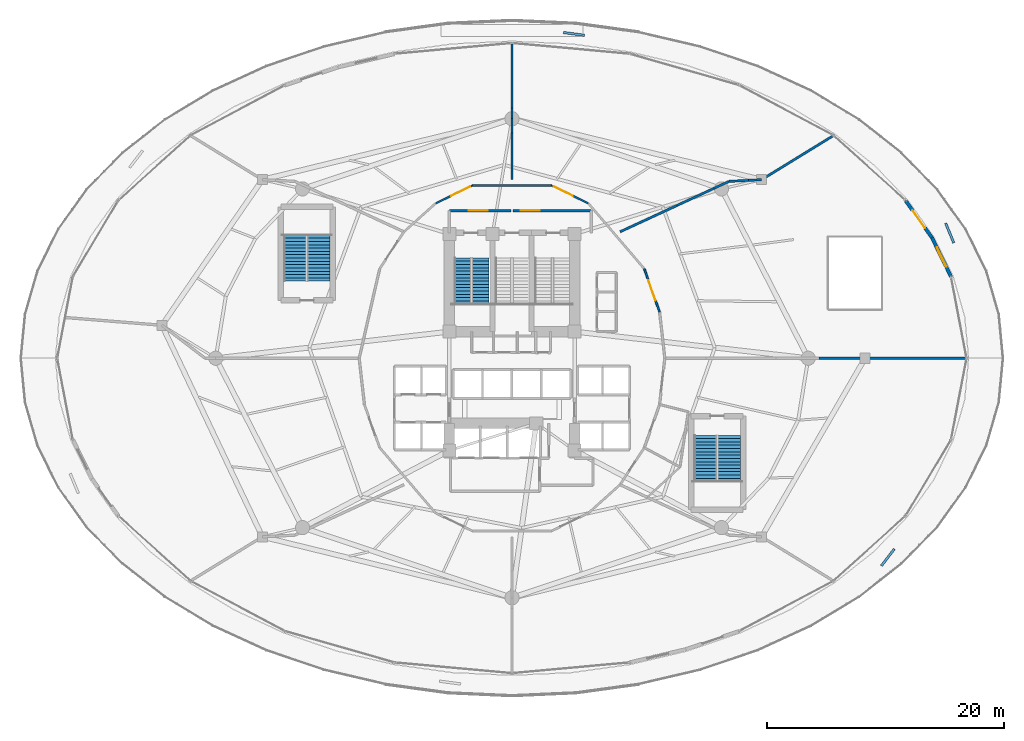
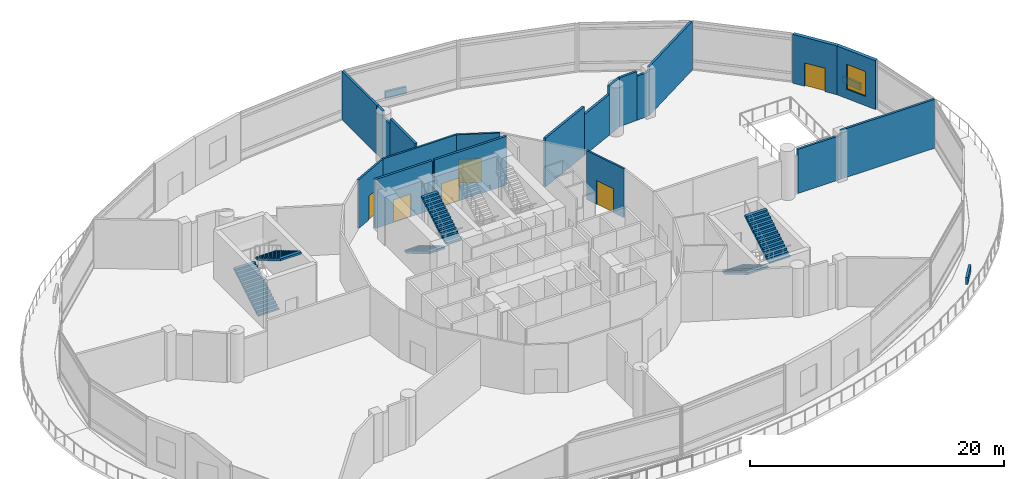
# One storey, part 29 of 37: 23 walls, 6 doors, 6 stair flights, 1 window, 7 openings, 3 elements without a shape of their own.
"""IFC4 building model written with IfcOpenShell, lengths in metres."""

from ifc_helpers import new_model, si_unit, direction, frame, frame_2d, origin, place, context, subcontext, project, spatial, polyline, rectangle, outline, extrude, material, layer, layer_set, type_object, element, fill, aggregate, save


model = new_model("IFC4")

# Units and contexts
model_context = context("Model", 3, precision=1e-05, world=origin(), true_north=direction((0.0, 1.0)))
body_context = subcontext(model_context, "Body", "Model", "MODEL_VIEW")
ifc_project = project(units=[si_unit("LENGTHUNIT", "METRE"), si_unit("AREAUNIT", "SQUARE_METRE"), si_unit("VOLUMEUNIT", "CUBIC_METRE"), si_unit("PLANEANGLEUNIT", "RADIAN"), si_unit("MASSUNIT", "GRAM", prefix="KILO")], contexts=[model_context])

# Site, building, storey
site_placement = place(None, origin())
site = spatial("IfcSite", under=ifc_project, at=site_placement, CompositionType="ELEMENT")
building_placement = place(site_placement, origin())
building = spatial("IfcBuilding", under=site, at=building_placement, Name="Nuhasar Tower", CompositionType="ELEMENT")
storey_placement = place(building_placement, frame((0.0, 0.0, 6.0)))
storey = spatial("IfcBuildingStorey", under=building, at=storey_placement, Name="L01", CompositionType="ELEMENT", Elevation=6.0)

# Wall, opening, window
ifc_material_1 = material(Name="Concrete C45/55", Category="concrete")
ifc_layer_1 = layer(ifc_material_1, 0.239990234375)
ifc_material_2 = material(Name="Limestone Ashlar", Category="masonry")
ifc_layer_2 = layer(ifc_material_2, 0.06005859375)
ifc_layer_set_1 = layer_set([ifc_layer_1, ifc_layer_2], Name="Concrete C45/55")
wall_type_1 = type_object("IfcWallType", Name="WL-ARC-300", PredefinedType="STANDARD", material=ifc_layer_set_1)
wall_1_placement = place(storey_placement, frame((74.513916015625, 36.9951171875, 0.0), z_axis=(0.0, 0.0, 1.0), x_axis=(0.4397832387, -0.89810394886, 0.0)))
wall_1 = element("IfcWall", 1, at=wall_1_placement, inside=storey, type_object=wall_type_1, Name="L01 Limestone Arcade Spandrel Pier 02-1", PredefinedType="STANDARD", context=body_context, shape_type="SweptSolid", body=[
    extrude(rectangle(XDim=3.674560546875, YDim=0.300048828125, at=frame_2d((1.83740234375, 0.0))), origin(), (0.0, 0.0, 1.0), 4.699951171875),
])
opening_1_placement = place(wall_1_placement, frame((0.93701171875, 0.0, 0.89990234375)))
opening_1 = element("IfcOpeningElement", 2, at=opening_1_placement, cuts=wall_1, Name="Opening WX-01", PredefinedType="OPENING", context=body_context, shape_type="SweptSolid", body=[
    extrude(rectangle(XDim=1.800048828125, YDim=2.39990234375, at=frame_2d((0.89990234375, 1.199951171875))), frame((0.0, 0.16015625, 0.0), z_axis=(0.0, -1.0, 0.0), x_axis=(1.0, 0.0, 0.0)), (0.0, 0.0, 1.0), 0.320068359375),
])
ifc_material_3 = material(Name="Glass Double Low-E", Category="glass")
window_type = type_object("IfcWindowType", Name="WIN-ARC-1800", PartitioningType="DOUBLE_PANEL_VERTICAL", PredefinedType="WINDOW", material=ifc_material_3)
window_placement = place(opening_1_placement, origin())
window = element("IfcWindow", 3, at=window_placement, inside=storey, type_object=window_type, Name="L01 Arcade Vision Window 02", OverallHeight=2.39990234375, OverallWidth=1.800048828125, PartitioningType="DOUBLE_PANEL_VERTICAL", PredefinedType="WINDOW", context=body_context, shape_type="SweptSolid", body=[
    extrude(rectangle(XDim=1.800048828125, YDim=2.39990234375, at=frame_2d((0.89990234375, 1.199951171875))), frame((0.0, 0.030029296875, 0.0), z_axis=(0.0, -1.0, 0.0), x_axis=(1.0, 0.0, 0.0)), (0.0, 0.0, 1.0), 0.06005859375),
])
fill(opening_1, window)

# Wall, opening, door
wall_2_placement = place(storey_placement, frame((72.2900390625, 40.1201171875, 0.0), z_axis=(0.0, 0.0, 1.0), x_axis=(0.579810280566, -0.814751519514, 0.0)))
wall_2 = element("IfcWall", 4, at=wall_2_placement, inside=storey, type_object=wall_type_1, Name="L01 Limestone Arcade Spandrel Pier 02-2", PredefinedType="STANDARD", context=body_context, shape_type="SweptSolid", body=[
    extrude(rectangle(XDim=3.83544921875, YDim=0.300048828125, at=frame_2d((1.917724609375, 0.0))), origin(), (0.0, 0.0, 1.0), 4.699951171875),
])
opening_2_placement = place(wall_2_placement, frame((1.01806640625, 0.0, 0.0)))
opening_2 = element("IfcOpeningElement", 5, at=opening_2_placement, cuts=wall_2, Name="Opening DX-02", PredefinedType="OPENING", context=body_context, shape_type="SweptSolid", body=[
    extrude(rectangle(XDim=1.800048828125, YDim=2.25, at=frame_2d((0.89990234375, 1.125))), frame((0.0, 0.16015625, 0.0), z_axis=(0.0, -1.0, 0.0), x_axis=(1.0, 0.0, 0.0)), (0.0, 0.0, 1.0), 0.320068359375),
])
ifc_material_4 = material(Name="Aluminium 6063-T6", Category="aluminium")
door_type_1 = type_object("IfcDoorType", Name="DR-TERR-1800", OperationType="DOUBLE_DOOR_SINGLE_SWING", PredefinedType="DOOR", material=ifc_material_4)
door_1_placement = place(opening_2_placement, origin())
door_1 = element("IfcDoor", 6, at=door_1_placement, inside=storey, type_object=door_type_1, Name="L01 Bustan Terrace Door 02", OperationType="DOUBLE_DOOR_SINGLE_SWING", OverallHeight=2.25, OverallWidth=1.800048828125, PredefinedType="DOOR", context=body_context, shape_type="SweptSolid", body=[
    extrude(rectangle(XDim=1.800048828125, YDim=2.25, at=frame_2d((0.89990234375, 1.125))), frame((0.0, 0.02490234375, 0.0), z_axis=(0.0, -1.0, 0.0), x_axis=(1.0, 0.0, 0.0)), (0.0, 0.0, 1.0), 0.050048828125),
])
fill(opening_2, door_1)

ifc_material_5 = material(Name="Gypsum Board", Category="gypsum")
ifc_layer_3 = layer(ifc_material_5, 0.159912109375)
ifc_layer_set_2 = layer_set([ifc_layer_3], Name="Gypsum Board")
wall_type_2 = type_object("IfcWallType", Name="WL-CORR-160", PredefinedType="PARTITIONING", material=ifc_layer_set_2)
wall_3_placement = place(storey_placement, frame((50.18896484375, 34.360107421875, 0.0), z_axis=(0.0, 0.0, 1.0), x_axis=(0.333684770033, -0.942684716248, 0.0)))
wall_3 = element("IfcWall", 7, at=wall_3_placement, inside=storey, type_object=wall_type_2, Name="L01 Interior Partition CORR-02", PredefinedType="PARTITIONING", context=body_context, shape_type="SweptSolid", body=[
    extrude(rectangle(XDim=3.868896484375, YDim=0.159912109375, at=frame_2d((1.9345703125, 0.0))), origin(), (0.0, 0.0, 1.0), 4.699951171875),
])
opening_3_placement = place(wall_3_placement, frame((1.033935546875, 0.0, 0.0)))
opening_3 = element("IfcOpeningElement", 8, at=opening_3_placement, cuts=wall_3, Name="Opening DB-02", PredefinedType="OPENING", context=body_context, shape_type="SweptSolid", body=[
    extrude(rectangle(XDim=1.800048828125, YDim=2.300048828125, at=frame_2d((0.89990234375, 1.14990234375))), frame((0.0, 0.08984375, 0.0), z_axis=(0.0, -1.0, 0.0), x_axis=(1.0, 0.0, 0.0)), (0.0, 0.0, 1.0), 0.179931640625),
])
door_type_2 = type_object("IfcDoorType", Name="DR-BALL-FD60-1800", OperationType="DOUBLE_DOOR_SINGLE_SWING", PredefinedType="DOOR", material=ifc_material_4)
door_2_placement = place(opening_3_placement, origin())
door_2 = element("IfcDoor", 9, at=door_2_placement, inside=storey, type_object=door_type_2, Name="L01 East Luxury Retail Door", OperationType="DOUBLE_DOOR_SINGLE_SWING", OverallHeight=2.300048828125, OverallWidth=1.800048828125, PredefinedType="DOOR", context=body_context, shape_type="SweptSolid", body=[
    extrude(rectangle(XDim=1.800048828125, YDim=2.300048828125, at=frame_2d((0.89990234375, 1.14990234375))), frame((0.0, 0.02490234375, 0.0), z_axis=(0.0, -1.0, 0.0), x_axis=(1.0, 0.0, 0.0)), (0.0, 0.0, 1.0), 0.050048828125),
])
fill(opening_3, door_2)

wall_4_placement = place(storey_placement, frame((42.343994140625, 41.405029296875, 0.0), z_axis=(0.0, 0.0, 1.0), x_axis=(0.899789784655, -0.436323668199, 0.0)))
wall_4 = element("IfcWall", 10, at=wall_4_placement, inside=storey, type_object=wall_type_2, Name="L01 Interior Partition CORR-08", PredefinedType="PARTITIONING", context=body_context, shape_type="SweptSolid", body=[
    extrude(rectangle(XDim=3.462890625, YDim=0.159912109375, at=frame_2d((1.7314453125, 0.0))), origin(), (0.0, 0.0, 1.0), 4.699951171875),
])
opening_4_placement = place(wall_4_placement, frame((0.199951171875, 0.0, 0.0)))
opening_4 = element("IfcOpeningElement", 11, at=opening_4_placement, cuts=wall_4, Name="Opening DB-02", PredefinedType="OPENING", context=body_context, shape_type="SweptSolid", body=[
    extrude(rectangle(XDim=1.800048828125, YDim=2.300048828125, at=frame_2d((0.89990234375, 1.14990234375))), frame((0.0, 0.08984375, 0.0), z_axis=(0.0, -1.0, 0.0), x_axis=(1.0, 0.0, 0.0)), (0.0, 0.0, 1.0), 0.179931640625),
])
door_3_placement = place(opening_4_placement, origin())
door_3 = element("IfcDoor", 12, at=door_3_placement, inside=storey, type_object=door_type_2, Name="L01 North Artisanal Galleria Door", OperationType="DOUBLE_DOOR_SINGLE_SWING", OverallHeight=2.300048828125, OverallWidth=1.800048828125, PredefinedType="DOOR", context=body_context, shape_type="SweptSolid", body=[
    extrude(rectangle(XDim=1.800048828125, YDim=2.300048828125, at=frame_2d((0.89990234375, 1.14990234375))), frame((0.0, 0.02490234375, 0.0), z_axis=(0.0, -1.0, 0.0), x_axis=(1.0, 0.0, 0.0)), (0.0, 0.0, 1.0), 0.050048828125),
])
fill(opening_4, door_3)

# Wall
wall_5_placement = place(storey_placement, frame((42.343994140625, 41.405029296875, 0.0), z_axis=(0.0, 0.0, 1.0), x_axis=(-1.0, 0.0, 0.0)))
element("IfcWall", 13, at=wall_5_placement, inside=storey, type_object=wall_type_2, Name="L01 Interior Partition CORR-10", PredefinedType="PARTITIONING", context=body_context, shape_type="SweptSolid", body=[
    extrude(rectangle(XDim=6.68798828125, YDim=0.159912109375, at=frame_2d((3.343994140625, 0.0))), origin(), (0.0, 0.0, 1.0), 4.699951171875),
])

# Wall, opening, door
wall_6_placement = place(storey_placement, frame((32.5400390625, 39.89404296875, 0.0), z_axis=(0.0, 0.0, 1.0), x_axis=(0.899789784655, 0.436323668199, 0.0)))
wall_6 = element("IfcWall", 14, at=wall_6_placement, inside=storey, type_object=wall_type_2, Name="L01 Interior Partition CORR-14", PredefinedType="PARTITIONING", context=body_context, shape_type="SweptSolid", body=[
    extrude(rectangle(XDim=3.462890625, YDim=0.159912109375, at=frame_2d((1.7314453125, 0.0))), origin(), (0.0, 0.0, 1.0), 4.699951171875),
])
opening_5_placement = place(wall_6_placement, frame((1.462890625, 0.0, 0.0)))
opening_5 = element("IfcOpeningElement", 15, at=opening_5_placement, cuts=wall_6, Name="Opening DB-02", PredefinedType="OPENING", context=body_context, shape_type="SweptSolid", body=[
    extrude(rectangle(XDim=1.800048828125, YDim=2.300048828125, at=frame_2d((0.89990234375, 1.14990234375))), frame((0.0, 0.08984375, 0.0), z_axis=(0.0, -1.0, 0.0), x_axis=(1.0, 0.0, 0.0)), (0.0, 0.0, 1.0), 0.179931640625),
])
door_4_placement = place(opening_5_placement, origin())
door_4 = element("IfcDoor", 16, at=door_4_placement, inside=storey, type_object=door_type_2, Name="L01 West Design Showroom Door", OperationType="DOUBLE_DOOR_SINGLE_SWING", OverallHeight=2.300048828125, OverallWidth=1.800048828125, PredefinedType="DOOR", context=body_context, shape_type="SweptSolid", body=[
    extrude(rectangle(XDim=1.800048828125, YDim=2.300048828125, at=frame_2d((0.89990234375, 1.14990234375))), frame((0.0, 0.02490234375, 0.0), z_axis=(0.0, -1.0, 0.0), x_axis=(1.0, 0.0, 0.0)), (0.0, 0.0, 1.0), 0.050048828125),
])
fill(opening_5, door_4)

ifc_layer_4 = layer(ifc_material_1, 0.199951171875)
ifc_layer_set_3 = layer_set([ifc_layer_4], Name="Concrete C45/55")
wall_type_3 = type_object("IfcWallType", Name="WL-LOBBY-200", PredefinedType="SOLIDWALL", material=ifc_layer_set_3)
wall_7_placement = place(storey_placement, frame((38.89990234375, 39.280029296875, 0.0), z_axis=(0.0, 0.0, 1.0), x_axis=(-1.0, 0.0, 0.0)))
wall_7 = element("IfcWall", 17, at=wall_7_placement, inside=storey, type_object=wall_type_3, Name="L01 Interior Partition NSL-N1", PredefinedType="SOLIDWALL", context=body_context, shape_type="SweptSolid", body=[
    extrude(rectangle(XDim=5.199951171875, YDim=0.199951171875, at=frame_2d((2.60009765625, 0.0))), origin(), (0.0, 0.0, 1.0), 4.699951171875),
])
opening_6_placement = place(wall_7_placement, frame((1.949951171875, 0.0, 0.0)))
opening_6 = element("IfcOpeningElement", 18, at=opening_6_placement, cuts=wall_7, Name="Opening DC-01", PredefinedType="OPENING", context=body_context, shape_type="SweptSolid", body=[
    extrude(rectangle(XDim=1.60009765625, YDim=2.199951171875, at=frame_2d((0.800048828125, 1.10009765625))), frame((0.0, 0.10986328125, 0.0), z_axis=(0.0, -1.0, 0.0), x_axis=(1.0, 0.0, 0.0)), (0.0, 0.0, 1.0), 0.219970703125),
])
ifc_material_6 = material(Name="Steel S355", Category="steel")
door_type_3 = type_object("IfcDoorType", Name="DR-CORR-FD60-1600", OperationType="DOUBLE_DOOR_SINGLE_SWING", PredefinedType="DOOR", material=ifc_material_6)
door_5_placement = place(opening_6_placement, origin())
door_5 = element("IfcDoor", 19, at=door_5_placement, inside=storey, type_object=door_type_3, Name="L01 North Stair Lobby West Door", OperationType="DOUBLE_DOOR_SINGLE_SWING", OverallHeight=2.199951171875, OverallWidth=1.60009765625, PredefinedType="DOOR", context=body_context, shape_type="SweptSolid", body=[
    extrude(rectangle(XDim=1.60009765625, YDim=2.199951171875, at=frame_2d((0.800048828125, 1.10009765625))), frame((0.0, 0.02490234375, 0.0), z_axis=(0.0, -1.0, 0.0), x_axis=(1.0, 0.0, 0.0)), (0.0, 0.0, 1.0), 0.050048828125),
])
fill(opening_6, door_5)

wall_8_placement = place(storey_placement, frame((45.699951171875, 39.280029296875, 0.0), z_axis=(0.0, 0.0, 1.0), x_axis=(-1.0, 0.0, 0.0)))
wall_8 = element("IfcWall", 20, at=wall_8_placement, inside=storey, type_object=wall_type_3, Name="L01 Interior Partition NSL-N2", PredefinedType="SOLIDWALL", context=body_context, shape_type="SweptSolid", body=[
    extrude(rectangle(XDim=6.599853515625, YDim=0.199951171875, at=frame_2d((3.2998046875, 0.0))), origin(), (0.0, 0.0, 1.0), 4.699951171875),
])
opening_7_placement = place(wall_8_placement, frame((4.35009765625, 0.0, 0.0)))
opening_7 = element("IfcOpeningElement", 21, at=opening_7_placement, cuts=wall_8, Name="Opening DC-01", PredefinedType="OPENING", context=body_context, shape_type="SweptSolid", body=[
    extrude(rectangle(XDim=1.60009765625, YDim=2.199951171875, at=frame_2d((0.800048828125, 1.10009765625))), frame((0.0, 0.10986328125, 0.0), z_axis=(0.0, -1.0, 0.0), x_axis=(1.0, 0.0, 0.0)), (0.0, 0.0, 1.0), 0.219970703125),
])
door_6_placement = place(opening_7_placement, origin())
door_6 = element("IfcDoor", 22, at=door_6_placement, inside=storey, type_object=door_type_3, Name="L01 North Stair Lobby East Door", OperationType="DOUBLE_DOOR_SINGLE_SWING", OverallHeight=2.199951171875, OverallWidth=1.60009765625, PredefinedType="DOOR", context=body_context, shape_type="SweptSolid", body=[
    extrude(rectangle(XDim=1.60009765625, YDim=2.199951171875, at=frame_2d((0.800048828125, 1.10009765625))), frame((0.0, 0.02490234375, 0.0), z_axis=(0.0, -1.0, 0.0), x_axis=(1.0, 0.0, 0.0)), (0.0, 0.0, 1.0), 0.050048828125),
])
fill(opening_7, door_6)

# Walls
ifc_layer_5 = layer(ifc_material_1, 0.199951171875)
ifc_layer_set_4 = layer_set([ifc_layer_5], Name="Concrete C45/55")
wall_type_4 = type_object("IfcWallType", Name="WL-PLANTER-200", PredefinedType="ELEMENTEDWALL", material=ifc_layer_set_4)
wall_9_placement = place(storey_placement, frame((75.666015625, 38.217041015625, 0.0), z_axis=(0.0, 0.0, 1.0), x_axis=(0.382727098568, -0.923861444169, 0.0)))
element("IfcWall", 23, at=wall_9_placement, inside=storey, type_object=wall_type_4, Name="L01 Bustan Garden Planter Curb 01", PredefinedType="ELEMENTEDWALL", context=body_context, shape_type="SweptSolid", body=[
    extrude(rectangle(XDim=1.800048828125, YDim=0.199951171875, at=frame_2d((0.89990234375, 0.0))), origin(), (0.0, 0.0, 1.0), 0.64990234375),
])
wall_10_placement = place(storey_placement, frame((43.3369140625, 54.341064453125, 0.0), z_axis=(0.0, 0.0, 1.0), x_axis=(0.991429342672, -0.130644014367, 0.0)))
element("IfcWall", 24, at=wall_10_placement, inside=storey, type_object=wall_type_4, Name="L01 Bustan Garden Planter Curb 02", PredefinedType="ELEMENTEDWALL", context=body_context, shape_type="SweptSolid", body=[
    extrude(rectangle(XDim=1.799560546875, YDim=0.199951171875, at=frame_2d((0.89990234375, 0.0))), origin(), (0.0, 0.0, 1.0), 0.64990234375),
])
wall_11_placement = place(storey_placement, frame((71.330078125, 10.676025390625, 0.0), z_axis=(0.0, 0.0, 1.0), x_axis=(-0.608923978219, -0.793228585434, 0.0)))
element("IfcWall", 25, at=wall_11_placement, inside=storey, type_object=wall_type_4, Name="L01 Bustan Garden Planter Curb 06", PredefinedType="ELEMENTEDWALL", context=body_context, shape_type="SweptSolid", body=[
    extrude(rectangle(XDim=1.80029296875, YDim=0.199951171875, at=frame_2d((0.900146484375, 0.0))), origin(), (0.0, 0.0, 1.0), 0.64990234375),
])
ifc_material_7 = material(Name="Concrete C40/50 precast", Category="concrete")
ifc_layer_6 = layer(ifc_material_7, 0.199951171875)
ifc_layer_set_5 = layer_set([ifc_layer_6], Name="Concrete C40/50 precast")
wall_type_5 = type_object("IfcWallType", Name="WL-UNIT-200", PredefinedType="PARTITIONING", material=ifc_layer_set_5)
wall_12_placement = place(storey_placement, frame((64.949951171875, 26.800048828125, 0.0), z_axis=(0.0, 0.0, 1.0), x_axis=(1.0, 0.0, 0.0)))
element("IfcWall", 26, at=wall_12_placement, inside=storey, type_object=wall_type_5, Name="L01 Interior Partition PRAD-00-S3", PredefinedType="PARTITIONING", context=body_context, shape_type="SweptSolid", body=[
    extrude(rectangle(XDim=3.900146484375, YDim=0.199951171875, at=frame_2d((1.9501953125, 0.0))), origin(), (0.0, 0.0, 1.0), 4.239990234375),
])
wall_13_placement = place(storey_placement, frame((68.85009765625, 26.800048828125, 0.0), z_axis=(0.0, 0.0, 1.0), x_axis=(1.0, 0.0, 0.0)))
element("IfcWall", 27, at=wall_13_placement, inside=storey, type_object=wall_type_5, Name="L01 Interior Partition PRAD-00-S4", PredefinedType="PARTITIONING", context=body_context, shape_type="SweptSolid", body=[
    extrude(rectangle(XDim=8.554931640625, YDim=0.199951171875, at=frame_2d((4.27734375, 0.0))), origin(), (0.0, 0.0, 1.0), 4.699951171875),
])
wall_14_placement = place(storey_placement, frame((48.135986328125, 37.490966796875, 0.0), z_axis=(0.0, 0.0, 1.0), x_axis=(0.907524785669, 0.419998527851, 0.0)))
element("IfcWall", 28, at=wall_14_placement, inside=storey, type_object=wall_type_5, Name="L01 Interior Partition PRAD-06-S1", PredefinedType="PARTITIONING", context=body_context, shape_type="SweptSolid", body=[
    extrude(rectangle(XDim=5.30029296875, YDim=0.199951171875, at=frame_2d((2.650146484375, 0.0))), origin(), (0.0, 0.0, 1.0), 4.699951171875),
])
wall_15_placement = place(storey_placement, frame((52.946044921875, 39.717041015625, 0.0), z_axis=(0.0, 0.0, 1.0), x_axis=(0.90747190463, 0.420112773321, 0.0)))
element("IfcWall", 29, at=wall_15_placement, inside=storey, type_object=wall_type_5, Name="L01 Interior Partition PRAD-06-S1", PredefinedType="PARTITIONING", context=body_context, shape_type="SweptSolid", body=[
    extrude(rectangle(XDim=3.448974609375, YDim=0.199951171875, at=frame_2d((1.724609375, 0.0))), origin(), (0.0, 0.0, 1.0), 3.919921875),
])
wall_16_placement = place(storey_placement, frame((56.075927734375, 41.166015625, 0.0), z_axis=(0.0, 0.0, 1.0), x_axis=(0.907622896373, 0.419786467124, 0.0)))
element("IfcWall", 30, at=wall_16_placement, inside=storey, type_object=wall_type_5, Name="L01 Interior Partition PRAD-06-S1", PredefinedType="PARTITIONING", context=body_context, shape_type="SweptSolid", body=[
    extrude(rectangle(XDim=1.40283203125, YDim=0.199951171875, at=frame_2d((0.701416015625, 0.0))), origin(), (0.0, 0.0, 1.0), 4.699951171875),
])
wall_17_placement = place(storey_placement, frame((57.34912109375, 41.7548828125, 0.0), z_axis=(0.0, 0.0, 1.0), x_axis=(0.998685128887, 0.051264152576, 0.0)))
element("IfcWall", 31, at=wall_17_placement, inside=storey, type_object=wall_type_5, Name="L01 Interior Partition PRAD-06-S2", PredefinedType="PARTITIONING", context=body_context, shape_type="SweptSolid", body=[
    extrude(rectangle(XDim=1.64306640625, YDim=0.199951171875, at=frame_2d((0.821533203125, 0.0))), origin(), (0.0, 0.0, 1.0), 4.699951171875),
])
wall_18_placement = place(storey_placement, frame((58.989990234375, 41.839111328125, 0.0), z_axis=(0.0, 0.0, 1.0), x_axis=(0.998660904733, 0.051733909163, 0.0)))
element("IfcWall", 32, at=wall_18_placement, inside=storey, type_object=wall_type_5, Name="L01 Interior Partition PRAD-06-S2", PredefinedType="PARTITIONING", context=body_context, shape_type="SweptSolid", body=[
    extrude(rectangle(XDim=1.118408203125, YDim=0.199951171875, at=frame_2d((0.55908203125, 0.0))), origin(), (0.0, 0.0, 1.0), 4.239990234375),
])
wall_19_placement = place(storey_placement, frame((60.10693359375, 41.89697265625, 0.0), z_axis=(0.0, 0.0, 1.0), x_axis=(0.85206305886, 0.523439149974, 0.0)))
element("IfcWall", 33, at=wall_19_placement, inside=storey, type_object=wall_type_5, Name="L01 Interior Partition PRAD-06-S3", PredefinedType="PARTITIONING", context=body_context, shape_type="SweptSolid", body=[
    extrude(rectangle(XDim=7.099365234375, YDim=0.199951171875, at=frame_2d((3.5498046875, 0.0))), origin(), (0.0, 0.0, 1.0), 4.699951171875),
])
wall_20_placement = place(storey_placement, frame((39.0, 41.919921875, 0.0), z_axis=(0.0, 0.0, 1.0), x_axis=(0.0, 1.0, 0.0)))
element("IfcWall", 34, at=wall_20_placement, inside=storey, type_object=wall_type_5, Name="L01 Interior Partition PRAD-12-S1", PredefinedType="PARTITIONING", context=body_context, shape_type="SweptSolid", body=[
    extrude(rectangle(XDim=3.9130859375, YDim=0.199951171875, at=frame_2d((1.95654296875, 0.0))), origin(), (0.0, 0.0, 1.0), 4.699951171875),
])
wall_21_placement = place(storey_placement, frame((39.0, 45.8330078125, 0.0), z_axis=(0.0, 0.0, 1.0), x_axis=(0.0, 1.0, 0.0)))
element("IfcWall", 35, at=wall_21_placement, inside=storey, type_object=wall_type_5, Name="L01 Interior Partition PRAD-12-S1", PredefinedType="PARTITIONING", context=body_context, shape_type="SweptSolid", body=[
    extrude(rectangle(XDim=1.23388671875, YDim=0.199951171875, at=frame_2d((0.616943359375, 0.0))), origin(), (0.0, 0.0, 1.0), 4.1650390625),
])
wall_22_placement = place(storey_placement, frame((39.0, 47.06689453125, 0.0), z_axis=(0.0, 0.0, 1.0), x_axis=(0.0, 1.0, 0.0)))
element("IfcWall", 36, at=wall_22_placement, inside=storey, type_object=wall_type_5, Name="L01 Interior Partition PRAD-12-S1", PredefinedType="PARTITIONING", context=body_context, shape_type="SweptSolid", body=[
    extrude(rectangle(XDim=0.883056640625, YDim=0.199951171875, at=frame_2d((0.44140625, 0.0))), origin(), (0.0, 0.0, 1.0), 4.699951171875),
])
wall_23_placement = place(storey_placement, frame((39.0, 47.949951171875, 0.0), z_axis=(0.0, 0.0, 1.0), x_axis=(0.0, 1.0, 0.0)))
element("IfcWall", 37, at=wall_23_placement, inside=storey, type_object=wall_type_5, Name="L01 Interior Partition PRAD-12-S2", PredefinedType="PARTITIONING", context=body_context, shape_type="SweptSolid", body=[
    extrude(rectangle(XDim=5.455078125, YDim=0.199951171875, at=frame_2d((2.7275390625, 0.0))), origin(), (0.0, 0.0, 1.0), 4.699951171875),
])

# Stair, stair flights
stair_type_1 = type_object("IfcStairType", Name="STR-ST-01-2F-30R-1667", PredefinedType="HALF_TURN_STAIR", material=ifc_material_1)
stair_1_placement = place(storey_placement, origin())
stair_1 = element("IfcStair", 38, at=stair_1_placement, inside=storey, type_object=stair_type_1, Name="L01 Exit Stair ST-01", PredefinedType="HALF_TURN_STAIR")
stair_flight_type_1 = type_object("IfcStairFlightType", Name="SFL-ST-01-15R-1667", PredefinedType="STRAIGHT", material=ifc_material_1)
stair_flight_1_placement = place(storey_placement, frame((34.830078125, 35.284912109375, 0.0), z_axis=(0.0, 0.0, 1.0), x_axis=(0.0, -1.0, 0.0)))
stair_flight_1 = element("IfcStairFlight", 39, at=stair_flight_1_placement, type_object=stair_flight_type_1, Name="ST-01 flight 1", NumberOfRisers=15, NumberOfTreads=14, PredefinedType="STRAIGHT", RiserHeight=0.166667, TreadLength=0.28, context=body_context, shape_type="SweptSolid", body=[
    extrude(outline(polyline([(0.0, 0.0), (0.0, 0.166748046875), (0.280029296875, 0.166748046875), (0.280029296875, 0.333251953125), (0.56005859375, 0.333251953125), (0.56005859375, 0.5), (0.840087890625, 0.5), (0.840087890625, 0.666748046875), (1.1201171875, 0.666748046875), (1.1201171875, 0.833251953125), (1.39990234375, 0.833251953125), (1.39990234375, 1.0), (1.679931640625, 1.0), (1.679931640625, 1.166748046875), (1.9599609375, 1.166748046875), (1.9599609375, 1.333251953125), (2.239990234375, 1.333251953125), (2.239990234375, 1.5), (2.52001953125, 1.5), (2.52001953125, 1.666748046875), (2.800048828125, 1.666748046875), (2.800048828125, 1.833251953125), (3.080078125, 1.833251953125), (3.080078125, 2.0), (3.360107421875, 2.0), (3.360107421875, 2.166748046875), (3.639892578125, 2.166748046875), (3.639892578125, 2.333251953125), (3.919921875, 2.333251953125), (3.919921875, 2.5), (3.919921875, 2.147216796875), (0.312744140625, 0.0), (0.0, 0.0)])), frame((0.0, 0.7099609375, 0.0), z_axis=(0.0, -1.0, 0.0), x_axis=(1.0, 0.0, 0.0)), (0.0, 0.0, 1.0), 1.419921875),
])
stair_flight_2_placement = place(storey_placement, frame((36.35009765625, 31.364990234375, 2.5), z_axis=(0.0, 0.0, 1.0), x_axis=(0.0, 1.0, 0.0)))
stair_flight_2 = element("IfcStairFlight", 40, at=stair_flight_2_placement, type_object=stair_flight_type_1, Name="ST-01 flight 2", NumberOfRisers=15, NumberOfTreads=14, PredefinedType="STRAIGHT", RiserHeight=0.166667, TreadLength=0.28, context=body_context, shape_type="SweptSolid", body=[
    extrude(outline(polyline([(0.0, 0.0), (0.0, 0.166748046875), (0.280029296875, 0.166748046875), (0.280029296875, 0.333251953125), (0.56005859375, 0.333251953125), (0.56005859375, 0.5), (0.840087890625, 0.5), (0.840087890625, 0.666748046875), (1.1201171875, 0.666748046875), (1.1201171875, 0.833251953125), (1.39990234375, 0.833251953125), (1.39990234375, 1.0), (1.679931640625, 1.0), (1.679931640625, 1.166748046875), (1.9599609375, 1.166748046875), (1.9599609375, 1.333251953125), (2.239990234375, 1.333251953125), (2.239990234375, 1.5), (2.52001953125, 1.5), (2.52001953125, 1.666748046875), (2.800048828125, 1.666748046875), (2.800048828125, 1.833251953125), (3.080078125, 1.833251953125), (3.080078125, 2.0), (3.360107421875, 2.0), (3.360107421875, 2.166748046875), (3.639892578125, 2.166748046875), (3.639892578125, 2.333251953125), (3.919921875, 2.333251953125), (3.919921875, 2.5), (3.919921875, 2.147216796875), (0.312744140625, 0.0), (0.0, 0.0)])), frame((0.0, 0.7099609375, 0.0), z_axis=(0.0, -1.0, 0.0), x_axis=(1.0, 0.0, 0.0)), (0.0, 0.0, 1.0), 1.419921875),
])
aggregate(stair_1, [stair_flight_1, stair_flight_2])

stair_type_2 = type_object("IfcStairType", Name="STR-ST-04-2F-30R-1667", PredefinedType="HALF_TURN_STAIR", material=ifc_material_1)
stair_2_placement = place(storey_placement, origin())
stair_2 = element("IfcStair", 41, at=stair_2_placement, inside=storey, type_object=stair_type_2, Name="L01 Exit Stair ST-04", PredefinedType="HALF_TURN_STAIR")
stair_flight_type_2 = type_object("IfcStairFlightType", Name="SFL-ST-04-15R-1667", PredefinedType="STRAIGHT", material=ifc_material_1)
stair_flight_3_placement = place(storey_placement, frame((20.64990234375, 33.31494140625, 0.0), z_axis=(0.0, 0.0, 1.0), x_axis=(0.0, 1.0, 0.0)))
stair_flight_3 = element("IfcStairFlight", 42, at=stair_flight_3_placement, type_object=stair_flight_type_2, Name="ST-04 flight 1", NumberOfRisers=15, NumberOfTreads=14, PredefinedType="STRAIGHT", RiserHeight=0.166667, TreadLength=0.28, context=body_context, shape_type="SweptSolid", body=[
    extrude(outline(polyline([(0.0, 0.0), (0.0, 0.166748046875), (0.280029296875, 0.166748046875), (0.280029296875, 0.333251953125), (0.56005859375, 0.333251953125), (0.56005859375, 0.5), (0.840087890625, 0.5), (0.840087890625, 0.666748046875), (1.1201171875, 0.666748046875), (1.1201171875, 0.833251953125), (1.39990234375, 0.833251953125), (1.39990234375, 1.0), (1.679931640625, 1.0), (1.679931640625, 1.166748046875), (1.9599609375, 1.166748046875), (1.9599609375, 1.333251953125), (2.239990234375, 1.333251953125), (2.239990234375, 1.5), (2.52001953125, 1.5), (2.52001953125, 1.666748046875), (2.800048828125, 1.666748046875), (2.800048828125, 1.833251953125), (3.080078125, 1.833251953125), (3.080078125, 2.0), (3.360107421875, 2.0), (3.360107421875, 2.166748046875), (3.639892578125, 2.166748046875), (3.639892578125, 2.333251953125), (3.919921875, 2.333251953125), (3.919921875, 2.5), (3.919921875, 2.147216796875), (0.312744140625, 0.0), (0.0, 0.0)])), frame((0.0, 0.949951171875, 0.0), z_axis=(0.0, -1.0, 0.0), x_axis=(1.0, 0.0, 0.0)), (0.0, 0.0, 1.0), 1.89990234375),
])
stair_flight_4_placement = place(storey_placement, frame((22.64990234375, 37.235107421875, 2.5), z_axis=(0.0, 0.0, 1.0), x_axis=(0.0, -1.0, 0.0)))
stair_flight_4 = element("IfcStairFlight", 43, at=stair_flight_4_placement, type_object=stair_flight_type_2, Name="ST-04 flight 2", NumberOfRisers=15, NumberOfTreads=14, PredefinedType="STRAIGHT", RiserHeight=0.166667, TreadLength=0.28, context=body_context, shape_type="SweptSolid", body=[
    extrude(outline(polyline([(0.0, 0.0), (0.0, 0.166748046875), (0.280029296875, 0.166748046875), (0.280029296875, 0.333251953125), (0.56005859375, 0.333251953125), (0.56005859375, 0.5), (0.840087890625, 0.5), (0.840087890625, 0.666748046875), (1.1201171875, 0.666748046875), (1.1201171875, 0.833251953125), (1.39990234375, 0.833251953125), (1.39990234375, 1.0), (1.679931640625, 1.0), (1.679931640625, 1.166748046875), (1.9599609375, 1.166748046875), (1.9599609375, 1.333251953125), (2.239990234375, 1.333251953125), (2.239990234375, 1.5), (2.52001953125, 1.5), (2.52001953125, 1.666748046875), (2.800048828125, 1.666748046875), (2.800048828125, 1.833251953125), (3.080078125, 1.833251953125), (3.080078125, 2.0), (3.360107421875, 2.0), (3.360107421875, 2.166748046875), (3.639892578125, 2.166748046875), (3.639892578125, 2.333251953125), (3.919921875, 2.333251953125), (3.919921875, 2.5), (3.919921875, 2.147216796875), (0.312744140625, 0.0), (0.0, 0.0)])), frame((0.0, 0.949951171875, 0.0), z_axis=(0.0, -1.0, 0.0), x_axis=(1.0, 0.0, 0.0)), (0.0, 0.0, 1.0), 1.89990234375),
])
aggregate(stair_2, [stair_flight_3, stair_flight_4])

stair_type_3 = type_object("IfcStairType", Name="STR-ST-05-2F-30R-1667", PredefinedType="HALF_TURN_STAIR", material=ifc_material_1)
stair_3_placement = place(storey_placement, origin())
stair_3 = element("IfcStair", 44, at=stair_3_placement, inside=storey, type_object=stair_type_3, Name="L01 Exit Stair ST-05", PredefinedType="HALF_TURN_STAIR")
stair_flight_type_3 = type_object("IfcStairFlightType", Name="SFL-ST-05-15R-1667", PredefinedType="STRAIGHT", material=ifc_material_1)
stair_flight_5_placement = place(storey_placement, frame((55.35009765625, 20.284912109375, 0.0), z_axis=(0.0, 0.0, 1.0), x_axis=(0.0, -1.0, 0.0)))
stair_flight_5 = element("IfcStairFlight", 45, at=stair_flight_5_placement, type_object=stair_flight_type_3, Name="ST-05 flight 1", NumberOfRisers=15, NumberOfTreads=14, PredefinedType="STRAIGHT", RiserHeight=0.166667, TreadLength=0.28, context=body_context, shape_type="SweptSolid", body=[
    extrude(outline(polyline([(0.0, 0.0), (0.0, 0.166748046875), (0.280029296875, 0.166748046875), (0.280029296875, 0.333251953125), (0.56005859375, 0.333251953125), (0.56005859375, 0.5), (0.840087890625, 0.5), (0.840087890625, 0.666748046875), (1.1201171875, 0.666748046875), (1.1201171875, 0.833251953125), (1.39990234375, 0.833251953125), (1.39990234375, 1.0), (1.679931640625, 1.0), (1.679931640625, 1.166748046875), (1.9599609375, 1.166748046875), (1.9599609375, 1.333251953125), (2.239990234375, 1.333251953125), (2.239990234375, 1.5), (2.52001953125, 1.5), (2.52001953125, 1.666748046875), (2.800048828125, 1.666748046875), (2.800048828125, 1.833251953125), (3.080078125, 1.833251953125), (3.080078125, 2.0), (3.360107421875, 2.0), (3.360107421875, 2.166748046875), (3.639892578125, 2.166748046875), (3.639892578125, 2.333251953125), (3.919921875, 2.333251953125), (3.919921875, 2.5), (3.919921875, 2.147216796875), (0.312744140625, 0.0), (0.0, 0.0)])), frame((0.0, 0.949951171875, 0.0), z_axis=(0.0, -1.0, 0.0), x_axis=(1.0, 0.0, 0.0)), (0.0, 0.0, 1.0), 1.89990234375),
])
stair_flight_6_placement = place(storey_placement, frame((57.35009765625, 16.364990234375, 2.5), z_axis=(0.0, 0.0, 1.0), x_axis=(0.0, 1.0, 0.0)))
stair_flight_6 = element("IfcStairFlight", 46, at=stair_flight_6_placement, type_object=stair_flight_type_3, Name="ST-05 flight 2", NumberOfRisers=15, NumberOfTreads=14, PredefinedType="STRAIGHT", RiserHeight=0.166667, TreadLength=0.28, context=body_context, shape_type="SweptSolid", body=[
    extrude(outline(polyline([(0.0, 0.0), (0.0, 0.166748046875), (0.280029296875, 0.166748046875), (0.280029296875, 0.333251953125), (0.56005859375, 0.333251953125), (0.56005859375, 0.5), (0.840087890625, 0.5), (0.840087890625, 0.666748046875), (1.1201171875, 0.666748046875), (1.1201171875, 0.833251953125), (1.39990234375, 0.833251953125), (1.39990234375, 1.0), (1.679931640625, 1.0), (1.679931640625, 1.166748046875), (1.9599609375, 1.166748046875), (1.9599609375, 1.333251953125), (2.239990234375, 1.333251953125), (2.239990234375, 1.5), (2.52001953125, 1.5), (2.52001953125, 1.666748046875), (2.800048828125, 1.666748046875), (2.800048828125, 1.833251953125), (3.080078125, 1.833251953125), (3.080078125, 2.0), (3.360107421875, 2.0), (3.360107421875, 2.166748046875), (3.639892578125, 2.166748046875), (3.639892578125, 2.333251953125), (3.919921875, 2.333251953125), (3.919921875, 2.5), (3.919921875, 2.147216796875), (0.312744140625, 0.0), (0.0, 0.0)])), frame((0.0, 0.949951171875, 0.0), z_axis=(0.0, -1.0, 0.0), x_axis=(1.0, 0.0, 0.0)), (0.0, 0.0, 1.0), 1.89990234375),
])
aggregate(stair_3, [stair_flight_5, stair_flight_6])

save(model, "model.ifc")
